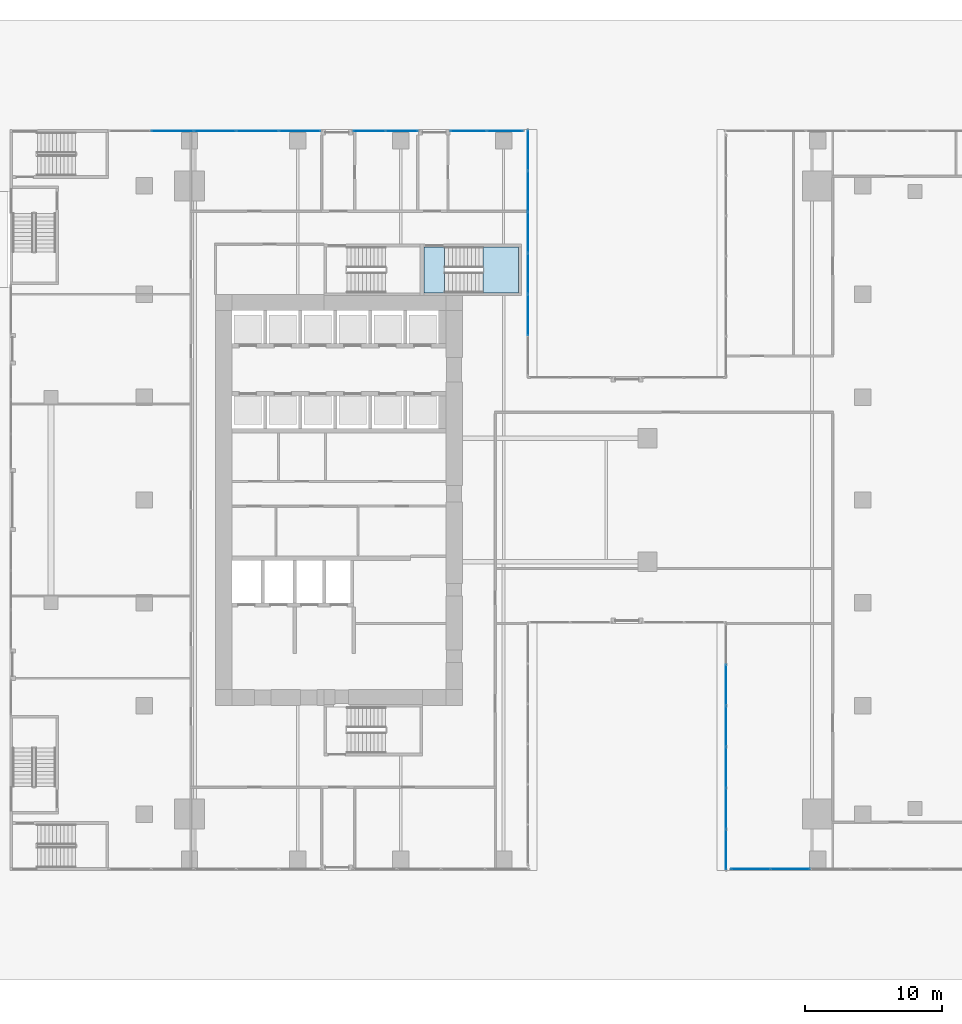
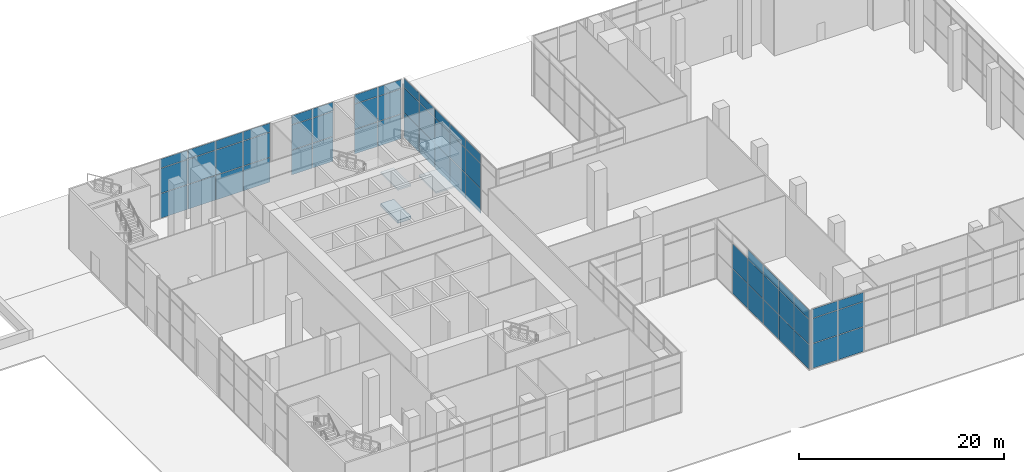
# One storey, part 33 of 52: 59 plates, 4 slabs, 7 elements without a shape of their own.
"""IFC4 building model written with IfcOpenShell, lengths in metres."""

from ifc_helpers import new_model, si_unit, direction, frame, origin, origin_2d, place, context, subcontext, project, spatial, polyline, rectangle, outline, extrude, source, transform, mapped, material, layer, layer_set, type_object, element, aggregate, save


model = new_model("IFC4")

# Units and contexts
model_context = context("Model", 3, precision=1e-05, world=origin(), true_north=direction((0.0, 1.0)))
body_context = subcontext(model_context, "Body", "Model", "MODEL_VIEW")
ifc_project = project(units=[si_unit("LENGTHUNIT", "METRE"), si_unit("AREAUNIT", "SQUARE_METRE"), si_unit("VOLUMEUNIT", "CUBIC_METRE"), si_unit("PLANEANGLEUNIT", "RADIAN"), si_unit("MASSUNIT", "GRAM", prefix="KILO")], contexts=[model_context])

# Site, building, storey
site_placement = place(None, origin())
site = spatial("IfcSite", under=ifc_project, at=site_placement, CompositionType="ELEMENT")
building_placement = place(site_placement, origin())
building = spatial("IfcBuilding", under=site, at=building_placement, Name="Khomas Fold Tower", CompositionType="ELEMENT")
storey_placement = place(building_placement, origin())
storey = spatial("IfcBuildingStorey", under=building, at=storey_placement, Name="L00", CompositionType="ELEMENT", Elevation=0.0)

# Curtain wall, plates
ifc_material_1 = material(Name="Aluminium framed double glazing", Category="aluminium")
curtain_wall_type = type_object("IfcCurtainWallType", Name="Shopfront glazing PD-CW", PredefinedType="NOTDEFINED", material=ifc_material_1)
curtain_wall_1_placement = place(storey_placement, origin())
curtain_wall_1 = element("IfcCurtainWall", 1, at=curtain_wall_1_placement, inside=storey, type_object=curtain_wall_type, Name="Podium shopfront run", PredefinedType="NOTDEFINED")
ifc_material_2 = material(Name="Double glazed unit")
ifc_layer_1 = layer(ifc_material_2, 0.031982421875)
ifc_layer_set_1 = layer_set([ifc_layer_1], Name="Double glazed unit")
plate_type = type_object("IfcPlateType", Name="Shopfront glazing panel PD-CW-P", PredefinedType="CURTAIN_PANEL", material=ifc_layer_set_1)
shared_shape_1 = source(origin(), body_context, "Body", "SweptSolid", [
    extrude(rectangle(XDim=3.008056640625, YDim=0.031982421875, at=origin_2d()), origin(), (0.0, 0.0, 1.0), 2.909912109375),
])
plate_1_placement = place(storey_placement, frame((12.135986328125, 53.919921875, 0.06005859375), z_axis=(0.0, 0.0, 1.0), x_axis=(-1.0, 0.0, 0.0)))
plate_1 = element("IfcPlate", 2, at=plate_1_placement, type_object=plate_type, Name="PD-CW panel 1.1", PredefinedType="CURTAIN_PANEL", context=body_context, shape_type="MappedRepresentation", body=[
    mapped(shared_shape_1, transform((0.0, 0.0, 0.0))),
])
shared_shape_2 = source(origin(), body_context, "Body", "SweptSolid", [
    extrude(rectangle(XDim=3.008056640625, YDim=0.031982421875, at=origin_2d()), origin(), (0.0, 0.0, 1.0), 2.93994140625),
])
plate_2_placement = place(storey_placement, frame((12.135986328125, 53.919921875, 3.030029296875), z_axis=(0.0, 0.0, 1.0), x_axis=(-1.0, 0.0, 0.0)))
plate_2 = element("IfcPlate", 3, at=plate_2_placement, type_object=plate_type, Name="PD-CW panel 1.2", PredefinedType="CURTAIN_PANEL", context=body_context, shape_type="MappedRepresentation", body=[
    mapped(shared_shape_2, transform((0.0, 0.0, 0.0))),
])
shared_shape_3 = source(origin(), body_context, "Body", "SweptSolid", [
    extrude(rectangle(XDim=3.008056640625, YDim=0.031982421875, at=origin_2d()), origin(), (0.0, 0.0, 1.0), 1.06005859375),
])
plate_3_placement = place(storey_placement, frame((12.135986328125, 53.919921875, 6.030029296875), z_axis=(0.0, 0.0, 1.0), x_axis=(-1.0, 0.0, 0.0)))
plate_3 = element("IfcPlate", 4, at=plate_3_placement, type_object=plate_type, Name="PD-CW panel 1.3", PredefinedType="CURTAIN_PANEL", context=body_context, shape_type="MappedRepresentation", body=[
    mapped(shared_shape_3, transform((0.0, 0.0, 0.0))),
])
shared_shape_4 = source(origin(), body_context, "Body", "SweptSolid", [
    extrude(rectangle(XDim=3.0380859375, YDim=0.031982421875, at=origin_2d()), origin(), (0.0, 0.0, 1.0), 2.909912109375),
])
plate_4_placement = place(storey_placement, frame((9.052978515625, 53.919921875, 0.06005859375), z_axis=(0.0, 0.0, 1.0), x_axis=(-1.0, 0.0, 0.0)))
plate_4 = element("IfcPlate", 5, at=plate_4_placement, type_object=plate_type, Name="PD-CW panel 2.1", PredefinedType="CURTAIN_PANEL", context=body_context, shape_type="MappedRepresentation", body=[
    mapped(shared_shape_4, transform((0.0, 0.0, 0.0))),
])
plate_5_placement = place(storey_placement, frame((5.955078125, 53.919921875, 0.06005859375), z_axis=(0.0, 0.0, 1.0), x_axis=(-1.0, 0.0, 0.0)))
plate_5 = element("IfcPlate", 6, at=plate_5_placement, type_object=plate_type, Name="PD-CW panel 3.1", PredefinedType="CURTAIN_PANEL", context=body_context, shape_type="MappedRepresentation", body=[
    mapped(shared_shape_4, transform((0.0, 0.0, 0.0))),
])
plate_6_placement = place(storey_placement, frame((2.85693359375, 53.919921875, 0.06005859375), z_axis=(0.0, 0.0, 1.0), x_axis=(-1.0, 0.0, 0.0)))
plate_6 = element("IfcPlate", 7, at=plate_6_placement, type_object=plate_type, Name="PD-CW panel 4.1", PredefinedType="CURTAIN_PANEL", context=body_context, shape_type="MappedRepresentation", body=[
    mapped(shared_shape_4, transform((0.0, 0.0, 0.0))),
])
shared_shape_5 = source(origin(), body_context, "Body", "SweptSolid", [
    extrude(rectangle(XDim=3.0380859375, YDim=0.031982421875, at=origin_2d()), origin(), (0.0, 0.0, 1.0), 2.93994140625),
])
plate_7_placement = place(storey_placement, frame((9.052978515625, 53.919921875, 3.030029296875), z_axis=(0.0, 0.0, 1.0), x_axis=(-1.0, 0.0, 0.0)))
plate_7 = element("IfcPlate", 8, at=plate_7_placement, type_object=plate_type, Name="PD-CW panel 2.2", PredefinedType="CURTAIN_PANEL", context=body_context, shape_type="MappedRepresentation", body=[
    mapped(shared_shape_5, transform((0.0, 0.0, 0.0))),
])
plate_8_placement = place(storey_placement, frame((5.955078125, 53.919921875, 3.030029296875), z_axis=(0.0, 0.0, 1.0), x_axis=(-1.0, 0.0, 0.0)))
plate_8 = element("IfcPlate", 9, at=plate_8_placement, type_object=plate_type, Name="PD-CW panel 3.2", PredefinedType="CURTAIN_PANEL", context=body_context, shape_type="MappedRepresentation", body=[
    mapped(shared_shape_5, transform((0.0, 0.0, 0.0))),
])
plate_9_placement = place(storey_placement, frame((2.85693359375, 53.919921875, 3.030029296875), z_axis=(0.0, 0.0, 1.0), x_axis=(-1.0, 0.0, 0.0)))
plate_9 = element("IfcPlate", 10, at=plate_9_placement, type_object=plate_type, Name="PD-CW panel 4.2", PredefinedType="CURTAIN_PANEL", context=body_context, shape_type="MappedRepresentation", body=[
    mapped(shared_shape_5, transform((0.0, 0.0, 0.0))),
])
shared_shape_6 = source(origin(), body_context, "Body", "SweptSolid", [
    extrude(rectangle(XDim=3.0380859375, YDim=0.031982421875, at=origin_2d()), origin(), (0.0, 0.0, 1.0), 1.06005859375),
])
plate_10_placement = place(storey_placement, frame((9.052978515625, 53.919921875, 6.030029296875), z_axis=(0.0, 0.0, 1.0), x_axis=(-1.0, 0.0, 0.0)))
plate_10 = element("IfcPlate", 11, at=plate_10_placement, type_object=plate_type, Name="PD-CW panel 2.3", PredefinedType="CURTAIN_PANEL", context=body_context, shape_type="MappedRepresentation", body=[
    mapped(shared_shape_6, transform((0.0, 0.0, 0.0))),
])
plate_11_placement = place(storey_placement, frame((5.955078125, 53.919921875, 6.030029296875), z_axis=(0.0, 0.0, 1.0), x_axis=(-1.0, 0.0, 0.0)))
plate_11 = element("IfcPlate", 12, at=plate_11_placement, type_object=plate_type, Name="PD-CW panel 3.3", PredefinedType="CURTAIN_PANEL", context=body_context, shape_type="MappedRepresentation", body=[
    mapped(shared_shape_6, transform((0.0, 0.0, 0.0))),
])
plate_12_placement = place(storey_placement, frame((2.85693359375, 53.919921875, 6.030029296875), z_axis=(0.0, 0.0, 1.0), x_axis=(-1.0, 0.0, 0.0)))
plate_12 = element("IfcPlate", 13, at=plate_12_placement, type_object=plate_type, Name="PD-CW panel 4.3", PredefinedType="CURTAIN_PANEL", context=body_context, shape_type="MappedRepresentation", body=[
    mapped(shared_shape_6, transform((0.0, 0.0, 0.0))),
])
aggregate(curtain_wall_1, [plate_1, plate_2, plate_3, plate_4, plate_7, plate_10, plate_5, plate_8, plate_11, plate_6, plate_9, plate_12])

# Curtain wall, plate
curtain_wall_2_placement = place(storey_placement, origin())
curtain_wall_2 = element("IfcCurtainWall", 14, at=curtain_wall_2_placement, inside=storey, type_object=curtain_wall_type, Name="Podium shopfront run", PredefinedType="NOTDEFINED")
shared_shape_7 = source(origin(), body_context, "Body", "SweptSolid", [
    extrude(rectangle(XDim=2.909912109375, YDim=0.031982421875, at=origin_2d()), origin(), (0.0, 0.0, 1.0), 2.909912109375),
])
plate_13_placement = place(storey_placement, frame((43.22998046875, 1.514892578125, 0.06005859375), z_axis=(0.0, 0.0, 1.0), x_axis=(0.0, -1.0, 0.0)))
plate_13 = element("IfcPlate", 15, at=plate_13_placement, type_object=plate_type, Name="PD-CW panel 6.1", PredefinedType="CURTAIN_PANEL", context=body_context, shape_type="MappedRepresentation", body=[
    mapped(shared_shape_7, transform((0.0, 0.0, 0.0))),
])

curtain_wall_3_placement = place(storey_placement, origin())
curtain_wall_3 = element("IfcCurtainWall", 16, at=curtain_wall_3_placement, inside=storey, type_object=curtain_wall_type, Name="Podium shopfront run", PredefinedType="NOTDEFINED")
plate_14_placement = place(storey_placement, frame((28.77001953125, 52.485107421875, 0.06005859375), z_axis=(0.0, 0.0, 1.0), x_axis=(0.0, 1.0, 0.0)))
plate_14 = element("IfcPlate", 17, at=plate_14_placement, type_object=plate_type, Name="PD-CW panel 6.1", PredefinedType="CURTAIN_PANEL", context=body_context, shape_type="MappedRepresentation", body=[
    mapped(shared_shape_7, transform((0.0, 0.0, 0.0))),
])

# Plate
shared_shape_8 = source(origin(), body_context, "Body", "SweptSolid", [
    extrude(rectangle(XDim=2.909912109375, YDim=0.031982421875, at=origin_2d()), origin(), (0.0, 0.0, 1.0), 2.93994140625),
])
plate_15_placement = place(storey_placement, frame((43.22998046875, 1.514892578125, 3.030029296875), z_axis=(0.0, 0.0, 1.0), x_axis=(0.0, -1.0, 0.0)))
plate_15 = element("IfcPlate", 18, at=plate_15_placement, type_object=plate_type, Name="PD-CW panel 6.2", PredefinedType="CURTAIN_PANEL", context=body_context, shape_type="MappedRepresentation", body=[
    mapped(shared_shape_8, transform((0.0, 0.0, 0.0))),
])

plate_16_placement = place(storey_placement, frame((28.77001953125, 52.485107421875, 3.030029296875), z_axis=(0.0, 0.0, 1.0), x_axis=(0.0, 1.0, 0.0)))
plate_16 = element("IfcPlate", 19, at=plate_16_placement, type_object=plate_type, Name="PD-CW panel 6.2", PredefinedType="CURTAIN_PANEL", context=body_context, shape_type="MappedRepresentation", body=[
    mapped(shared_shape_8, transform((0.0, 0.0, 0.0))),
])

shared_shape_9 = source(origin(), body_context, "Body", "SweptSolid", [
    extrude(rectangle(XDim=2.909912109375, YDim=0.031982421875, at=origin_2d()), origin(), (0.0, 0.0, 1.0), 1.06005859375),
])
plate_17_placement = place(storey_placement, frame((43.22998046875, 1.514892578125, 6.030029296875), z_axis=(0.0, 0.0, 1.0), x_axis=(0.0, -1.0, 0.0)))
plate_17 = element("IfcPlate", 20, at=plate_17_placement, type_object=plate_type, Name="PD-CW panel 6.3", PredefinedType="CURTAIN_PANEL", context=body_context, shape_type="MappedRepresentation", body=[
    mapped(shared_shape_9, transform((0.0, 0.0, 0.0))),
])

plate_18_placement = place(storey_placement, frame((28.77001953125, 52.485107421875, 6.030029296875), z_axis=(0.0, 0.0, 1.0), x_axis=(0.0, 1.0, 0.0)))
plate_18 = element("IfcPlate", 21, at=plate_18_placement, type_object=plate_type, Name="PD-CW panel 6.3", PredefinedType="CURTAIN_PANEL", context=body_context, shape_type="MappedRepresentation", body=[
    mapped(shared_shape_9, transform((0.0, 0.0, 0.0))),
])

shared_shape_10 = source(origin(), body_context, "Body", "SweptSolid", [
    extrude(rectangle(XDim=2.93994140625, YDim=0.031982421875, at=origin_2d()), origin(), (0.0, 0.0, 1.0), 2.909912109375),
])
plate_19_placement = place(storey_placement, frame((43.22998046875, 13.5, 0.06005859375), z_axis=(0.0, 0.0, 1.0), x_axis=(0.0, -1.0, 0.0)))
plate_19 = element("IfcPlate", 22, at=plate_19_placement, type_object=plate_type, Name="PD-CW panel 2.1", PredefinedType="CURTAIN_PANEL", context=body_context, shape_type="MappedRepresentation", body=[
    mapped(shared_shape_10, transform((0.0, 0.0, 0.0))),
])

plate_20_placement = place(storey_placement, frame((43.22998046875, 10.5, 0.06005859375), z_axis=(0.0, 0.0, 1.0), x_axis=(0.0, -1.0, 0.0)))
plate_20 = element("IfcPlate", 23, at=plate_20_placement, type_object=plate_type, Name="PD-CW panel 3.1", PredefinedType="CURTAIN_PANEL", context=body_context, shape_type="MappedRepresentation", body=[
    mapped(shared_shape_10, transform((0.0, 0.0, 0.0))),
])

plate_21_placement = place(storey_placement, frame((43.22998046875, 7.5, 0.06005859375), z_axis=(0.0, 0.0, 1.0), x_axis=(0.0, -1.0, 0.0)))
plate_21 = element("IfcPlate", 24, at=plate_21_placement, type_object=plate_type, Name="PD-CW panel 4.1", PredefinedType="CURTAIN_PANEL", context=body_context, shape_type="MappedRepresentation", body=[
    mapped(shared_shape_10, transform((0.0, 0.0, 0.0))),
])

plate_22_placement = place(storey_placement, frame((43.22998046875, 4.5, 0.06005859375), z_axis=(0.0, 0.0, 1.0), x_axis=(0.0, -1.0, 0.0)))
plate_22 = element("IfcPlate", 25, at=plate_22_placement, type_object=plate_type, Name="PD-CW panel 5.1", PredefinedType="CURTAIN_PANEL", context=body_context, shape_type="MappedRepresentation", body=[
    mapped(shared_shape_10, transform((0.0, 0.0, 0.0))),
])

plate_23_placement = place(storey_placement, frame((28.77001953125, 40.5, 0.06005859375), z_axis=(0.0, 0.0, 1.0), x_axis=(0.0, 1.0, 0.0)))
plate_23 = element("IfcPlate", 26, at=plate_23_placement, type_object=plate_type, Name="PD-CW panel 2.1", PredefinedType="CURTAIN_PANEL", context=body_context, shape_type="MappedRepresentation", body=[
    mapped(shared_shape_10, transform((0.0, 0.0, 0.0))),
])

plate_24_placement = place(storey_placement, frame((28.77001953125, 43.5, 0.06005859375), z_axis=(0.0, 0.0, 1.0), x_axis=(0.0, 1.0, 0.0)))
plate_24 = element("IfcPlate", 27, at=plate_24_placement, type_object=plate_type, Name="PD-CW panel 3.1", PredefinedType="CURTAIN_PANEL", context=body_context, shape_type="MappedRepresentation", body=[
    mapped(shared_shape_10, transform((0.0, 0.0, 0.0))),
])

plate_25_placement = place(storey_placement, frame((28.77001953125, 46.5, 0.06005859375), z_axis=(0.0, 0.0, 1.0), x_axis=(0.0, 1.0, 0.0)))
plate_25 = element("IfcPlate", 28, at=plate_25_placement, type_object=plate_type, Name="PD-CW panel 4.1", PredefinedType="CURTAIN_PANEL", context=body_context, shape_type="MappedRepresentation", body=[
    mapped(shared_shape_10, transform((0.0, 0.0, 0.0))),
])

plate_26_placement = place(storey_placement, frame((28.77001953125, 49.5, 0.06005859375), z_axis=(0.0, 0.0, 1.0), x_axis=(0.0, 1.0, 0.0)))
plate_26 = element("IfcPlate", 29, at=plate_26_placement, type_object=plate_type, Name="PD-CW panel 5.1", PredefinedType="CURTAIN_PANEL", context=body_context, shape_type="MappedRepresentation", body=[
    mapped(shared_shape_10, transform((0.0, 0.0, 0.0))),
])

shared_shape_11 = source(origin(), body_context, "Body", "SweptSolid", [
    extrude(rectangle(XDim=2.93994140625, YDim=0.031982421875, at=origin_2d()), origin(), (0.0, 0.0, 1.0), 2.93994140625),
])
plate_27_placement = place(storey_placement, frame((43.22998046875, 13.5, 3.030029296875), z_axis=(0.0, 0.0, 1.0), x_axis=(0.0, -1.0, 0.0)))
plate_27 = element("IfcPlate", 30, at=plate_27_placement, type_object=plate_type, Name="PD-CW panel 2.2", PredefinedType="CURTAIN_PANEL", context=body_context, shape_type="MappedRepresentation", body=[
    mapped(shared_shape_11, transform((0.0, 0.0, 0.0))),
])

plate_28_placement = place(storey_placement, frame((43.22998046875, 10.5, 3.030029296875), z_axis=(0.0, 0.0, 1.0), x_axis=(0.0, -1.0, 0.0)))
plate_28 = element("IfcPlate", 31, at=plate_28_placement, type_object=plate_type, Name="PD-CW panel 3.2", PredefinedType="CURTAIN_PANEL", context=body_context, shape_type="MappedRepresentation", body=[
    mapped(shared_shape_11, transform((0.0, 0.0, 0.0))),
])

plate_29_placement = place(storey_placement, frame((43.22998046875, 7.5, 3.030029296875), z_axis=(0.0, 0.0, 1.0), x_axis=(0.0, -1.0, 0.0)))
plate_29 = element("IfcPlate", 32, at=plate_29_placement, type_object=plate_type, Name="PD-CW panel 4.2", PredefinedType="CURTAIN_PANEL", context=body_context, shape_type="MappedRepresentation", body=[
    mapped(shared_shape_11, transform((0.0, 0.0, 0.0))),
])

plate_30_placement = place(storey_placement, frame((43.22998046875, 4.5, 3.030029296875), z_axis=(0.0, 0.0, 1.0), x_axis=(0.0, -1.0, 0.0)))
plate_30 = element("IfcPlate", 33, at=plate_30_placement, type_object=plate_type, Name="PD-CW panel 5.2", PredefinedType="CURTAIN_PANEL", context=body_context, shape_type="MappedRepresentation", body=[
    mapped(shared_shape_11, transform((0.0, 0.0, 0.0))),
])

plate_31_placement = place(storey_placement, frame((28.77001953125, 40.5, 3.030029296875), z_axis=(0.0, 0.0, 1.0), x_axis=(0.0, 1.0, 0.0)))
plate_31 = element("IfcPlate", 34, at=plate_31_placement, type_object=plate_type, Name="PD-CW panel 2.2", PredefinedType="CURTAIN_PANEL", context=body_context, shape_type="MappedRepresentation", body=[
    mapped(shared_shape_11, transform((0.0, 0.0, 0.0))),
])

plate_32_placement = place(storey_placement, frame((28.77001953125, 43.5, 3.030029296875), z_axis=(0.0, 0.0, 1.0), x_axis=(0.0, 1.0, 0.0)))
plate_32 = element("IfcPlate", 35, at=plate_32_placement, type_object=plate_type, Name="PD-CW panel 3.2", PredefinedType="CURTAIN_PANEL", context=body_context, shape_type="MappedRepresentation", body=[
    mapped(shared_shape_11, transform((0.0, 0.0, 0.0))),
])

plate_33_placement = place(storey_placement, frame((28.77001953125, 46.5, 3.030029296875), z_axis=(0.0, 0.0, 1.0), x_axis=(0.0, 1.0, 0.0)))
plate_33 = element("IfcPlate", 36, at=plate_33_placement, type_object=plate_type, Name="PD-CW panel 4.2", PredefinedType="CURTAIN_PANEL", context=body_context, shape_type="MappedRepresentation", body=[
    mapped(shared_shape_11, transform((0.0, 0.0, 0.0))),
])

plate_34_placement = place(storey_placement, frame((28.77001953125, 49.5, 3.030029296875), z_axis=(0.0, 0.0, 1.0), x_axis=(0.0, 1.0, 0.0)))
plate_34 = element("IfcPlate", 37, at=plate_34_placement, type_object=plate_type, Name="PD-CW panel 5.2", PredefinedType="CURTAIN_PANEL", context=body_context, shape_type="MappedRepresentation", body=[
    mapped(shared_shape_11, transform((0.0, 0.0, 0.0))),
])

shared_shape_12 = source(origin(), body_context, "Body", "SweptSolid", [
    extrude(rectangle(XDim=2.93994140625, YDim=0.031982421875, at=origin_2d()), origin(), (0.0, 0.0, 1.0), 1.06005859375),
])
plate_35_placement = place(storey_placement, frame((43.22998046875, 10.5, 6.030029296875), z_axis=(0.0, 0.0, 1.0), x_axis=(0.0, -1.0, 0.0)))
plate_35 = element("IfcPlate", 38, at=plate_35_placement, type_object=plate_type, Name="PD-CW panel 3.3", PredefinedType="CURTAIN_PANEL", context=body_context, shape_type="MappedRepresentation", body=[
    mapped(shared_shape_12, transform((0.0, 0.0, 0.0))),
])

plate_36_placement = place(storey_placement, frame((43.22998046875, 7.5, 6.030029296875), z_axis=(0.0, 0.0, 1.0), x_axis=(0.0, -1.0, 0.0)))
plate_36 = element("IfcPlate", 39, at=plate_36_placement, type_object=plate_type, Name="PD-CW panel 4.3", PredefinedType="CURTAIN_PANEL", context=body_context, shape_type="MappedRepresentation", body=[
    mapped(shared_shape_12, transform((0.0, 0.0, 0.0))),
])

plate_37_placement = place(storey_placement, frame((43.22998046875, 4.5, 6.030029296875), z_axis=(0.0, 0.0, 1.0), x_axis=(0.0, -1.0, 0.0)))
plate_37 = element("IfcPlate", 40, at=plate_37_placement, type_object=plate_type, Name="PD-CW panel 5.3", PredefinedType="CURTAIN_PANEL", context=body_context, shape_type="MappedRepresentation", body=[
    mapped(shared_shape_12, transform((0.0, 0.0, 0.0))),
])

aggregate(curtain_wall_2, [plate_19, plate_27, plate_20, plate_28, plate_35, plate_21, plate_29, plate_36, plate_22, plate_30, plate_37, plate_13, plate_15, plate_17])

plate_38_placement = place(storey_placement, frame((28.77001953125, 40.5, 6.030029296875), z_axis=(0.0, 0.0, 1.0), x_axis=(0.0, 1.0, 0.0)))
plate_38 = element("IfcPlate", 41, at=plate_38_placement, type_object=plate_type, Name="PD-CW panel 2.3", PredefinedType="CURTAIN_PANEL", context=body_context, shape_type="MappedRepresentation", body=[
    mapped(shared_shape_12, transform((0.0, 0.0, 0.0))),
])

plate_39_placement = place(storey_placement, frame((28.77001953125, 43.5, 6.030029296875), z_axis=(0.0, 0.0, 1.0), x_axis=(0.0, 1.0, 0.0)))
plate_39 = element("IfcPlate", 42, at=plate_39_placement, type_object=plate_type, Name="PD-CW panel 3.3", PredefinedType="CURTAIN_PANEL", context=body_context, shape_type="MappedRepresentation", body=[
    mapped(shared_shape_12, transform((0.0, 0.0, 0.0))),
])

plate_40_placement = place(storey_placement, frame((28.77001953125, 46.5, 6.030029296875), z_axis=(0.0, 0.0, 1.0), x_axis=(0.0, 1.0, 0.0)))
plate_40 = element("IfcPlate", 43, at=plate_40_placement, type_object=plate_type, Name="PD-CW panel 4.3", PredefinedType="CURTAIN_PANEL", context=body_context, shape_type="MappedRepresentation", body=[
    mapped(shared_shape_12, transform((0.0, 0.0, 0.0))),
])

plate_41_placement = place(storey_placement, frame((28.77001953125, 49.5, 6.030029296875), z_axis=(0.0, 0.0, 1.0), x_axis=(0.0, 1.0, 0.0)))
plate_41 = element("IfcPlate", 44, at=plate_41_placement, type_object=plate_type, Name="PD-CW panel 5.3", PredefinedType="CURTAIN_PANEL", context=body_context, shape_type="MappedRepresentation", body=[
    mapped(shared_shape_12, transform((0.0, 0.0, 0.0))),
])

aggregate(curtain_wall_3, [plate_23, plate_31, plate_38, plate_24, plate_32, plate_39, plate_25, plate_33, plate_40, plate_26, plate_34, plate_41, plate_14, plate_16, plate_18])

# Curtain wall, plates
curtain_wall_4_placement = place(storey_placement, origin())
curtain_wall_4 = element("IfcCurtainWall", 45, at=curtain_wall_4_placement, inside=storey, type_object=curtain_wall_type, Name="Podium shopfront run", PredefinedType="NOTDEFINED")
shared_shape_13 = source(origin(), body_context, "Body", "SweptSolid", [
    extrude(rectangle(XDim=2.814453125, YDim=0.031982421875, at=origin_2d()), origin(), (0.0, 0.0, 1.0), 2.909912109375),
])
plate_42_placement = place(storey_placement, frame((45.017333984375, 0.080078125, 0.06005859375), z_axis=(0.0, 0.0, 1.0), x_axis=(1.0, 0.0, 0.0)))
plate_42 = element("IfcPlate", 46, at=plate_42_placement, type_object=plate_type, Name="PD-CW panel 1.1", PredefinedType="CURTAIN_PANEL", context=body_context, shape_type="MappedRepresentation", body=[
    mapped(shared_shape_13, transform((0.0, 0.0, 0.0))),
])
shared_shape_14 = source(origin(), body_context, "Body", "SweptSolid", [
    extrude(rectangle(XDim=2.814453125, YDim=0.031982421875, at=origin_2d()), origin(), (0.0, 0.0, 1.0), 2.93994140625),
])
plate_43_placement = place(storey_placement, frame((45.017333984375, 0.080078125, 3.030029296875), z_axis=(0.0, 0.0, 1.0), x_axis=(1.0, 0.0, 0.0)))
plate_43 = element("IfcPlate", 47, at=plate_43_placement, type_object=plate_type, Name="PD-CW panel 1.2", PredefinedType="CURTAIN_PANEL", context=body_context, shape_type="MappedRepresentation", body=[
    mapped(shared_shape_14, transform((0.0, 0.0, 0.0))),
])
shared_shape_15 = source(origin(), body_context, "Body", "SweptSolid", [
    extrude(rectangle(XDim=2.814453125, YDim=0.031982421875, at=origin_2d()), origin(), (0.0, 0.0, 1.0), 1.06005859375),
])
plate_44_placement = place(storey_placement, frame((45.017333984375, 0.080078125, 6.030029296875), z_axis=(0.0, 0.0, 1.0), x_axis=(1.0, 0.0, 0.0)))
plate_44 = element("IfcPlate", 48, at=plate_44_placement, type_object=plate_type, Name="PD-CW panel 1.3", PredefinedType="CURTAIN_PANEL", context=body_context, shape_type="MappedRepresentation", body=[
    mapped(shared_shape_15, transform((0.0, 0.0, 0.0))),
])
shared_shape_16 = source(origin(), body_context, "Body", "SweptSolid", [
    extrude(rectangle(XDim=2.844482421875, YDim=0.031982421875, at=origin_2d()), origin(), (0.0, 0.0, 1.0), 2.909912109375),
])
plate_45_placement = place(storey_placement, frame((47.90673828125, 0.080078125, 0.06005859375), z_axis=(0.0, 0.0, 1.0), x_axis=(1.0, 0.0, 0.0)))
plate_45 = element("IfcPlate", 49, at=plate_45_placement, type_object=plate_type, Name="PD-CW panel 2.1", PredefinedType="CURTAIN_PANEL", context=body_context, shape_type="MappedRepresentation", body=[
    mapped(shared_shape_16, transform((0.0, 0.0, 0.0))),
])
shared_shape_17 = source(origin(), body_context, "Body", "SweptSolid", [
    extrude(rectangle(XDim=2.844482421875, YDim=0.031982421875, at=origin_2d()), origin(), (0.0, 0.0, 1.0), 2.93994140625),
])
plate_46_placement = place(storey_placement, frame((47.90673828125, 0.080078125, 3.030029296875), z_axis=(0.0, 0.0, 1.0), x_axis=(1.0, 0.0, 0.0)))
plate_46 = element("IfcPlate", 50, at=plate_46_placement, type_object=plate_type, Name="PD-CW panel 2.2", PredefinedType="CURTAIN_PANEL", context=body_context, shape_type="MappedRepresentation", body=[
    mapped(shared_shape_17, transform((0.0, 0.0, 0.0))),
])
shared_shape_18 = source(origin(), body_context, "Body", "SweptSolid", [
    extrude(rectangle(XDim=2.844482421875, YDim=0.031982421875, at=origin_2d()), origin(), (0.0, 0.0, 1.0), 1.06005859375),
])
plate_47_placement = place(storey_placement, frame((47.90673828125, 0.080078125, 6.030029296875), z_axis=(0.0, 0.0, 1.0), x_axis=(1.0, 0.0, 0.0)))
plate_47 = element("IfcPlate", 51, at=plate_47_placement, type_object=plate_type, Name="PD-CW panel 2.3", PredefinedType="CURTAIN_PANEL", context=body_context, shape_type="MappedRepresentation", body=[
    mapped(shared_shape_18, transform((0.0, 0.0, 0.0))),
])
aggregate(curtain_wall_4, [plate_42, plate_43, plate_44, plate_45, plate_46, plate_47])

curtain_wall_5_placement = place(storey_placement, origin())
curtain_wall_5 = element("IfcCurtainWall", 52, at=curtain_wall_5_placement, inside=storey, type_object=curtain_wall_type, Name="Podium shopfront run", PredefinedType="NOTDEFINED")
shared_shape_19 = source(origin(), body_context, "Body", "SweptSolid", [
    extrude(rectangle(XDim=2.5849609375, YDim=0.031982421875, at=origin_2d()), origin(), (0.0, 0.0, 1.0), 2.909912109375),
])
plate_48_placement = place(storey_placement, frame((27.097412109375, 53.919921875, 0.06005859375), z_axis=(0.0, 0.0, 1.0), x_axis=(-1.0, 0.0, 0.0)))
plate_48 = element("IfcPlate", 53, at=plate_48_placement, type_object=plate_type, Name="PD-CW panel 1.1", PredefinedType="CURTAIN_PANEL", context=body_context, shape_type="MappedRepresentation", body=[
    mapped(shared_shape_19, transform((0.0, 0.0, 0.0))),
])
plate_49_placement = place(storey_placement, frame((24.452392578125, 53.919921875, 0.06005859375), z_axis=(0.0, 0.0, 1.0), x_axis=(-1.0, 0.0, 0.0)))
plate_49 = element("IfcPlate", 54, at=plate_49_placement, type_object=plate_type, Name="PD-CW panel 2.1", PredefinedType="CURTAIN_PANEL", context=body_context, shape_type="MappedRepresentation", body=[
    mapped(shared_shape_19, transform((0.0, 0.0, 0.0))),
])
shared_shape_20 = source(origin(), body_context, "Body", "SweptSolid", [
    extrude(rectangle(XDim=2.5849609375, YDim=0.031982421875, at=origin_2d()), origin(), (0.0, 0.0, 1.0), 2.93994140625),
])
plate_50_placement = place(storey_placement, frame((27.097412109375, 53.919921875, 3.030029296875), z_axis=(0.0, 0.0, 1.0), x_axis=(-1.0, 0.0, 0.0)))
plate_50 = element("IfcPlate", 55, at=plate_50_placement, type_object=plate_type, Name="PD-CW panel 1.2", PredefinedType="CURTAIN_PANEL", context=body_context, shape_type="MappedRepresentation", body=[
    mapped(shared_shape_20, transform((0.0, 0.0, 0.0))),
])
plate_51_placement = place(storey_placement, frame((24.452392578125, 53.919921875, 3.030029296875), z_axis=(0.0, 0.0, 1.0), x_axis=(-1.0, 0.0, 0.0)))
plate_51 = element("IfcPlate", 56, at=plate_51_placement, type_object=plate_type, Name="PD-CW panel 2.2", PredefinedType="CURTAIN_PANEL", context=body_context, shape_type="MappedRepresentation", body=[
    mapped(shared_shape_20, transform((0.0, 0.0, 0.0))),
])
shared_shape_21 = source(origin(), body_context, "Body", "SweptSolid", [
    extrude(rectangle(XDim=2.5849609375, YDim=0.031982421875, at=origin_2d()), origin(), (0.0, 0.0, 1.0), 1.06005859375),
])
plate_52_placement = place(storey_placement, frame((27.097412109375, 53.919921875, 6.030029296875), z_axis=(0.0, 0.0, 1.0), x_axis=(-1.0, 0.0, 0.0)))
plate_52 = element("IfcPlate", 57, at=plate_52_placement, type_object=plate_type, Name="PD-CW panel 1.3", PredefinedType="CURTAIN_PANEL", context=body_context, shape_type="MappedRepresentation", body=[
    mapped(shared_shape_21, transform((0.0, 0.0, 0.0))),
])
plate_53_placement = place(storey_placement, frame((24.452392578125, 53.919921875, 6.030029296875), z_axis=(0.0, 0.0, 1.0), x_axis=(-1.0, 0.0, 0.0)))
plate_53 = element("IfcPlate", 58, at=plate_53_placement, type_object=plate_type, Name="PD-CW panel 2.3", PredefinedType="CURTAIN_PANEL", context=body_context, shape_type="MappedRepresentation", body=[
    mapped(shared_shape_21, transform((0.0, 0.0, 0.0))),
])
aggregate(curtain_wall_5, [plate_48, plate_50, plate_52, plate_49, plate_51, plate_53])

curtain_wall_6_placement = place(storey_placement, origin())
curtain_wall_6 = element("IfcCurtainWall", 59, at=curtain_wall_6_placement, inside=storey, type_object=curtain_wall_type, Name="Podium shopfront run", PredefinedType="NOTDEFINED")
shared_shape_22 = source(origin(), body_context, "Body", "SweptSolid", [
    extrude(rectangle(XDim=2.31005859375, YDim=0.031982421875, at=origin_2d()), origin(), (0.0, 0.0, 1.0), 2.909912109375),
])
plate_54_placement = place(storey_placement, frame((19.5849609375, 53.919921875, 0.06005859375), z_axis=(0.0, 0.0, 1.0), x_axis=(-1.0, 0.0, 0.0)))
plate_54 = element("IfcPlate", 60, at=plate_54_placement, type_object=plate_type, Name="PD-CW panel 1.1", PredefinedType="CURTAIN_PANEL", context=body_context, shape_type="MappedRepresentation", body=[
    mapped(shared_shape_22, transform((0.0, 0.0, 0.0))),
])
plate_55_placement = place(storey_placement, frame((17.215087890625, 53.919921875, 0.06005859375), z_axis=(0.0, 0.0, 1.0), x_axis=(-1.0, 0.0, 0.0)))
plate_55 = element("IfcPlate", 61, at=plate_55_placement, type_object=plate_type, Name="PD-CW panel 2.1", PredefinedType="CURTAIN_PANEL", context=body_context, shape_type="MappedRepresentation", body=[
    mapped(shared_shape_22, transform((0.0, 0.0, 0.0))),
])
shared_shape_23 = source(origin(), body_context, "Body", "SweptSolid", [
    extrude(rectangle(XDim=2.31005859375, YDim=0.031982421875, at=origin_2d()), origin(), (0.0, 0.0, 1.0), 2.93994140625),
])
plate_56_placement = place(storey_placement, frame((19.5849609375, 53.919921875, 3.030029296875), z_axis=(0.0, 0.0, 1.0), x_axis=(-1.0, 0.0, 0.0)))
plate_56 = element("IfcPlate", 62, at=plate_56_placement, type_object=plate_type, Name="PD-CW panel 1.2", PredefinedType="CURTAIN_PANEL", context=body_context, shape_type="MappedRepresentation", body=[
    mapped(shared_shape_23, transform((0.0, 0.0, 0.0))),
])
plate_57_placement = place(storey_placement, frame((17.215087890625, 53.919921875, 3.030029296875), z_axis=(0.0, 0.0, 1.0), x_axis=(-1.0, 0.0, 0.0)))
plate_57 = element("IfcPlate", 63, at=plate_57_placement, type_object=plate_type, Name="PD-CW panel 2.2", PredefinedType="CURTAIN_PANEL", context=body_context, shape_type="MappedRepresentation", body=[
    mapped(shared_shape_23, transform((0.0, 0.0, 0.0))),
])
shared_shape_24 = source(origin(), body_context, "Body", "SweptSolid", [
    extrude(rectangle(XDim=2.31005859375, YDim=0.031982421875, at=origin_2d()), origin(), (0.0, 0.0, 1.0), 1.06005859375),
])
plate_58_placement = place(storey_placement, frame((19.5849609375, 53.919921875, 6.030029296875), z_axis=(0.0, 0.0, 1.0), x_axis=(-1.0, 0.0, 0.0)))
plate_58 = element("IfcPlate", 64, at=plate_58_placement, type_object=plate_type, Name="PD-CW panel 1.3", PredefinedType="CURTAIN_PANEL", context=body_context, shape_type="MappedRepresentation", body=[
    mapped(shared_shape_24, transform((0.0, 0.0, 0.0))),
])
plate_59_placement = place(storey_placement, frame((17.215087890625, 53.919921875, 6.030029296875), z_axis=(0.0, 0.0, 1.0), x_axis=(-1.0, 0.0, 0.0)))
plate_59 = element("IfcPlate", 65, at=plate_59_placement, type_object=plate_type, Name="PD-CW panel 2.3", PredefinedType="CURTAIN_PANEL", context=body_context, shape_type="MappedRepresentation", body=[
    mapped(shared_shape_24, transform((0.0, 0.0, 0.0))),
])
aggregate(curtain_wall_6, [plate_54, plate_56, plate_58, plate_55, plate_57, plate_59])

# Stair, slabs
ifc_material_3 = material(Name="Concrete C40/50", Category="concrete")
stair_type = type_object("IfcStairType", Name="Stair ST3", PredefinedType="HALF_TURN_STAIR", material=ifc_material_3)
stair_placement = place(storey_placement, origin())
stair = element("IfcStair", 66, at=stair_placement, inside=storey, type_object=stair_type, Name="L00 ST3", PredefinedType="HALF_TURN_STAIR")
ifc_material_4 = material(Name="Concrete C40/50", Category="concrete")
ifc_layer_2 = layer(ifc_material_4, 0.199951171875)
ifc_layer_set_2 = layer_set([ifc_layer_2], Name="Concrete C40/50")
slab_type_1 = type_object("IfcSlabType", Name="Stair landing 200", PredefinedType="LANDING", material=ifc_layer_set_2)
shared_shape_25 = source(origin(), body_context, "Body", "SweptSolid", [
    extrude(outline(polyline([(25.5, 42.10009765625), (28.10009765625, 42.10009765625), (28.10009765625, 45.449951171875), (25.5, 45.449951171875), (25.5, 42.10009765625)])), origin(), (0.0, 0.0, 1.0), 0.199951171875),
])
slab_1_placement = place(storey_placement, frame((0.0, 0.0, 1.675048828125)))
slab_1 = element("IfcSlab", 67, at=slab_1_placement, type_object=slab_type_1, Name="ST3 landing 1", PredefinedType="LANDING", context=body_context, shape_type="MappedRepresentation", body=[
    mapped(shared_shape_25, transform((0.0, 0.0, 0.0))),
])
slab_2_placement = place(storey_placement, frame((0.0, 0.0, 5.425048828125)))
slab_2 = element("IfcSlab", 68, at=slab_2_placement, type_object=slab_type_1, Name="ST3 landing 3", PredefinedType="LANDING", context=body_context, shape_type="MappedRepresentation", body=[
    mapped(shared_shape_25, transform((0.0, 0.0, 0.0))),
])
shared_shape_26 = source(origin(), body_context, "Body", "SweptSolid", [
    extrude(outline(polyline([(21.199951171875, 42.10009765625), (22.699951171875, 42.10009765625), (22.699951171875, 45.449951171875), (21.199951171875, 45.449951171875), (21.199951171875, 42.10009765625)])), origin(), (0.0, 0.0, 1.0), 0.199951171875),
])
slab_3_placement = place(storey_placement, frame((0.0, 0.0, 3.550048828125)))
slab_3 = element("IfcSlab", 69, at=slab_3_placement, type_object=slab_type_1, Name="ST3 landing 2", PredefinedType="LANDING", context=body_context, shape_type="MappedRepresentation", body=[
    mapped(shared_shape_26, transform((0.0, 0.0, 0.0))),
])
aggregate(stair, [slab_1, slab_3, slab_2])

# Slab
ifc_material_5 = material(Name="Concrete C40/50", Category="concrete")
ifc_layer_3 = layer(ifc_material_5, 0.35009765625)
ifc_layer_set_3 = layer_set([ifc_layer_3], Name="Concrete C40/50")
slab_type_2 = type_object("IfcSlabType", Name="Stair floor landing 350", PredefinedType="LANDING", material=ifc_layer_set_3)
shared_shape_27 = source(origin(), body_context, "Body", "SweptSolid", [
    extrude(outline(polyline([(22.699951171875, 42.10009765625), (21.199951171875, 42.10009765625), (21.199951171875, 45.449951171875), (22.699951171875, 45.449951171875), (22.699951171875, 42.10009765625)])), origin(), (0.0, 0.0, 1.0), 0.35009765625),
])
slab_4_placement = place(storey_placement, frame((0.0, 0.0, -0.35009765625)))
element("IfcSlab", 70, at=slab_4_placement, inside=storey, type_object=slab_type_2, Name="ST3 floor landing", PredefinedType="LANDING", context=body_context, shape_type="MappedRepresentation", body=[
    mapped(shared_shape_27, transform((0.0, 0.0, 0.0))),
])

save(model, "model.ifc")
